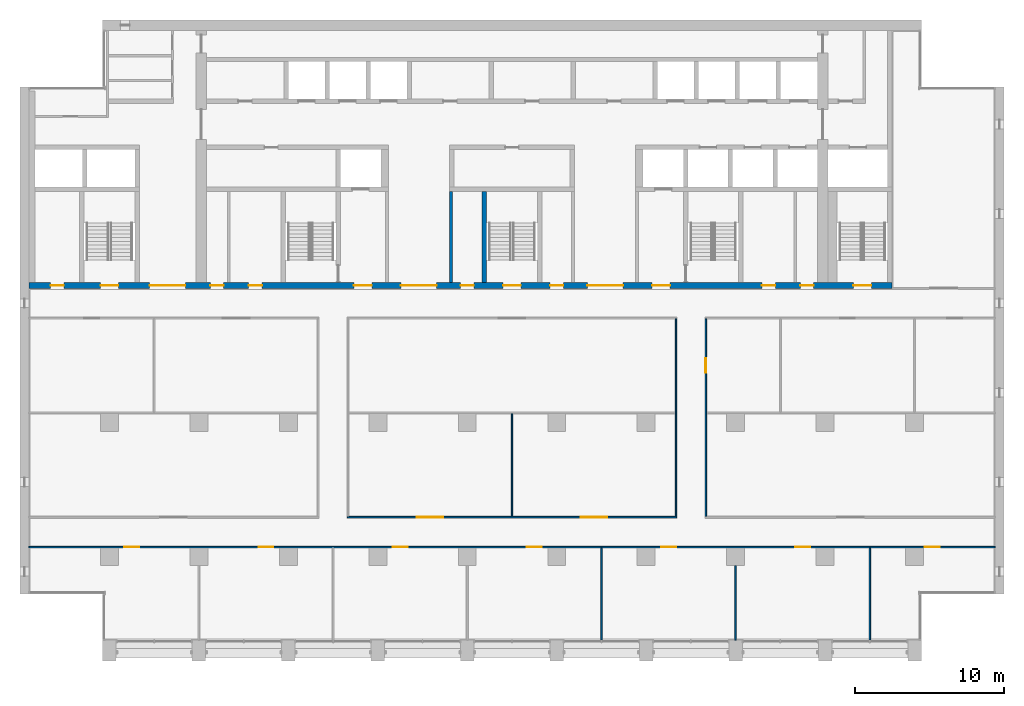
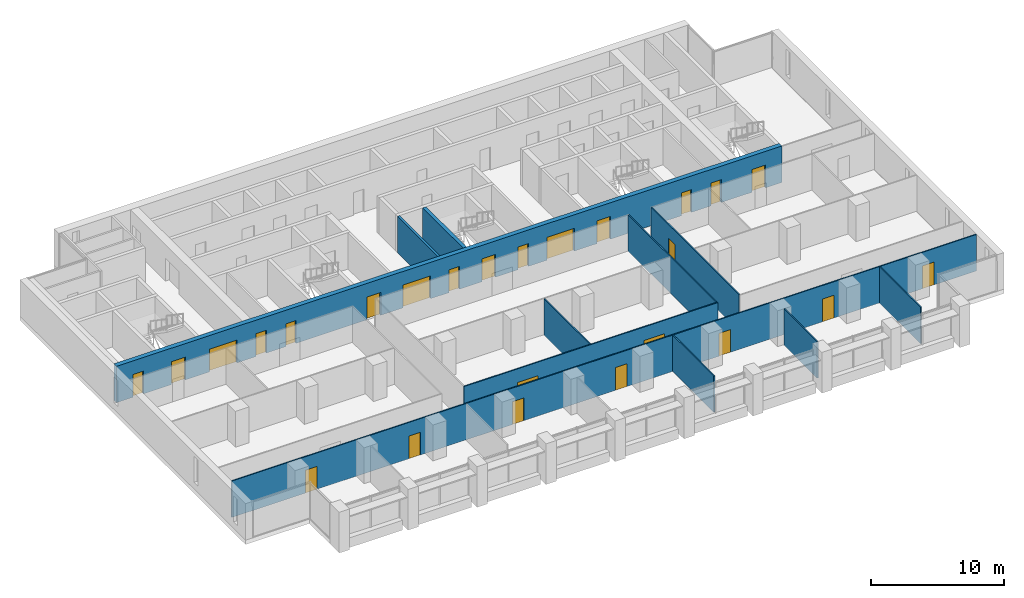
# One storey, part 9 of 17: 25 doors, 11 walls, 25 openings.
"""IFC4 building model written with IfcOpenShell, lengths in metres."""

from ifc_helpers import new_model, si_unit, direction, frame, frame_2d, origin, place, context, subcontext, project, spatial, rectangle, extrude, material, layer, layer_set, type_object, element, fill, save


model = new_model("IFC4")

# Units and contexts
model_context = context("Model", 3, precision=1e-05, world=origin(), true_north=direction((0.0, 1.0)))
body_context = subcontext(model_context, "Body", "Model", "MODEL_VIEW")
ifc_project = project(units=[si_unit("LENGTHUNIT", "METRE"), si_unit("AREAUNIT", "SQUARE_METRE"), si_unit("VOLUMEUNIT", "CUBIC_METRE"), si_unit("PLANEANGLEUNIT", "RADIAN"), si_unit("MASSUNIT", "GRAM", prefix="KILO")], contexts=[model_context])

# Site, building, storey
site_placement = place(None, origin())
site = spatial("IfcSite", under=ifc_project, at=site_placement, CompositionType="ELEMENT")
building_placement = place(site_placement, origin())
building = spatial("IfcBuilding", under=site, at=building_placement, Name="Calvaro Tower", CompositionType="ELEMENT")
storey_placement = place(building_placement, frame((0.0, 0.0, 170.5)))
storey = spatial("IfcBuildingStorey", under=building, at=storey_placement, Name="L42", CompositionType="ELEMENT", Elevation=170.5)

# Walls
ifc_material_1 = material(Name="Blockwork partition", Category="masonry")
ifc_layer_1 = layer(ifc_material_1, 0.199951171875)
ifc_layer_set_1 = layer_set([ifc_layer_1], Name="Blockwork partition")
wall_type_1 = type_object("IfcWallType", Name="Core partition 200 REI 120", PredefinedType="PARTITIONING", material=ifc_layer_set_1)
wall_1_placement = place(storey_placement, frame((34.89990234375, 28.39990234375, 0.0), z_axis=(0.0, 0.0, 1.0), x_axis=(0.0, 1.0, 0.0)))
element("IfcWall", 1, at=wall_1_placement, inside=storey, type_object=wall_type_1, Name="Core partition", PredefinedType="PARTITIONING", context=body_context, shape_type="SweptSolid", body=[
    extrude(rectangle(XDim=6.10009765625, YDim=0.199951171875, at=frame_2d((3.050048828125, 0.0))), origin(), (0.0, 0.0, 1.0), 3.35009765625),
])
ifc_material_2 = material(Name="Concrete C50/60", Category="concrete")
ifc_layer_2 = layer(ifc_material_2, 0.300048828125)
ifc_layer_set_2 = layer_set([ifc_layer_2], Name="Concrete C50/60")
wall_type_2 = type_object("IfcWallType", Name="Core wall C50/60 300", PredefinedType="SHEAR", material=ifc_layer_set_2)
wall_2_placement = place(storey_placement, frame((37.14990234375, 28.39990234375, 0.0), z_axis=(0.0, 0.0, 1.0), x_axis=(0.0, 1.0, 0.0)))
element("IfcWall", 2, at=wall_2_placement, inside=storey, type_object=wall_type_2, Name="Core wall, stair enclosure", PredefinedType="SHEAR", context=body_context, shape_type="SweptSolid", body=[
    extrude(rectangle(XDim=6.10009765625, YDim=0.300048828125, at=frame_2d((3.050048828125, 0.0))), origin(), (0.0, 0.0, 1.0), 3.35009765625),
])

# Wall, openings, doors
ifc_material_3 = material(Name="Concrete C50/60", Category="concrete")
ifc_layer_3 = layer(ifc_material_3, 0.39990234375)
ifc_layer_set_3 = layer_set([ifc_layer_3], Name="Concrete C50/60")
wall_type_3 = type_object("IfcWallType", Name="Core wall C50/60 400", PredefinedType="SHEAR", material=ifc_layer_set_3)
wall_3_placement = place(storey_placement, frame((6.60009765625, 28.199951171875, 0.0), z_axis=(0.0, 0.0, 1.0), x_axis=(1.0, 0.0, 0.0)))
wall_3 = element("IfcWall", 3, at=wall_3_placement, inside=storey, type_object=wall_type_3, Name="Core wall, front", PredefinedType="SHEAR", context=body_context, shape_type="SweptSolid", body=[
    extrude(rectangle(XDim=57.89990234375, YDim=0.39990234375, at=frame_2d((28.949951171875, 0.0))), origin(), (0.0, 0.0, 1.0), 3.35009765625),
])
opening_1_placement = place(wall_3_placement, frame((12.16259765625, 0.0, 0.0)))
opening_1 = element("IfcOpeningElement", 4, at=opening_1_placement, cuts=wall_3, Name="Opening RD9C", PredefinedType="OPENING", context=body_context, shape_type="SweptSolid", body=[
    extrude(rectangle(XDim=0.89990234375, YDim=2.10009765625, at=frame_2d((0.449951171875, 1.050048828125))), frame((0.0, 0.2099609375, 0.0), z_axis=(0.0, -1.0, 0.0), x_axis=(1.0, 0.0, 0.0)), (0.0, 0.0, 1.0), 0.419921875),
])
opening_2_placement = place(wall_3_placement, frame((14.737548828125, 0.0, 0.0)))
opening_2 = element("IfcOpeningElement", 5, at=opening_2_placement, cuts=wall_3, Name="Opening RD9E", PredefinedType="OPENING", context=body_context, shape_type="SweptSolid", body=[
    extrude(rectangle(XDim=0.89990234375, YDim=2.10009765625, at=frame_2d((0.449951171875, 1.050048828125))), frame((0.0, 0.2099609375, 0.0), z_axis=(0.0, -1.0, 0.0), x_axis=(1.0, 0.0, 0.0)), (0.0, 0.0, 1.0), 0.419921875),
])
opening_3_placement = place(wall_3_placement, frame((49.16259765625, 0.0, 0.0)))
opening_3 = element("IfcOpeningElement", 6, at=opening_3_placement, cuts=wall_3, Name="Opening RD9E", PredefinedType="OPENING", context=body_context, shape_type="SweptSolid", body=[
    extrude(rectangle(XDim=0.89990234375, YDim=2.10009765625, at=frame_2d((0.449951171875, 1.050048828125))), frame((0.0, 0.2099609375, 0.0), z_axis=(0.0, -1.0, 0.0), x_axis=(1.0, 0.0, 0.0)), (0.0, 0.0, 1.0), 0.419921875),
])
opening_4_placement = place(wall_3_placement, frame((51.737548828125, 0.0, 0.0)))
opening_4 = element("IfcOpeningElement", 7, at=opening_4_placement, cuts=wall_3, Name="Opening RD9C", PredefinedType="OPENING", context=body_context, shape_type="SweptSolid", body=[
    extrude(rectangle(XDim=0.89990234375, YDim=2.10009765625, at=frame_2d((0.449951171875, 1.050048828125))), frame((0.0, 0.2099609375, 0.0), z_axis=(0.0, -1.0, 0.0), x_axis=(1.0, 0.0, 0.0)), (0.0, 0.0, 1.0), 0.419921875),
])
opening_5_placement = place(wall_3_placement, frame((1.449951171875, 0.0, 0.0)))
opening_5 = element("IfcOpeningElement", 8, at=opening_5_placement, cuts=wall_3, Name="Opening RD9E", PredefinedType="OPENING", context=body_context, shape_type="SweptSolid", body=[
    extrude(rectangle(XDim=0.89990234375, YDim=2.10009765625, at=frame_2d((0.449951171875, 1.050048828125))), frame((0.0, 0.2099609375, 0.0), z_axis=(0.0, -1.0, 0.0), x_axis=(1.0, 0.0, 0.0)), (0.0, 0.0, 1.0), 0.419921875),
])
opening_6_placement = place(wall_3_placement, frame((4.800048828125, 0.0, 0.0)))
opening_6 = element("IfcOpeningElement", 9, at=opening_6_placement, cuts=wall_3, Name="Opening SD12D", PredefinedType="OPENING", context=body_context, shape_type="SweptSolid", body=[
    extrude(rectangle(XDim=1.199951171875, YDim=2.10009765625, at=frame_2d((0.60009765625, 1.050048828125))), frame((0.0, 0.2099609375, 0.0), z_axis=(0.0, -1.0, 0.0), x_axis=(1.0, 0.0, 0.0)), (0.0, 0.0, 1.0), 0.419921875),
])
opening_7_placement = place(wall_3_placement, frame((31.800048828125, 0.0, 0.0)))
opening_7 = element("IfcOpeningElement", 10, at=opening_7_placement, cuts=wall_3, Name="Opening SD12D", PredefinedType="OPENING", context=body_context, shape_type="SweptSolid", body=[
    extrude(rectangle(XDim=1.199951171875, YDim=2.10009765625, at=frame_2d((0.60009765625, 1.050048828125))), frame((0.0, 0.2099609375, 0.0), z_axis=(0.0, -1.0, 0.0), x_axis=(1.0, 0.0, 0.0)), (0.0, 0.0, 1.0), 0.419921875),
])
opening_8_placement = place(wall_3_placement, frame((55.300048828125, 0.0, 0.0)))
opening_8 = element("IfcOpeningElement", 11, at=opening_8_placement, cuts=wall_3, Name="Opening SD12D", PredefinedType="OPENING", context=body_context, shape_type="SweptSolid", body=[
    extrude(rectangle(XDim=1.199951171875, YDim=2.10009765625, at=frame_2d((0.60009765625, 1.050048828125))), frame((0.0, 0.2099609375, 0.0), z_axis=(0.0, -1.0, 0.0), x_axis=(1.0, 0.0, 0.0)), (0.0, 0.0, 1.0), 0.419921875),
])
opening_9_placement = place(wall_3_placement, frame((21.800048828125, 0.0, 0.0)))
opening_9 = element("IfcOpeningElement", 12, at=opening_9_placement, cuts=wall_3, Name="Opening FD12F", PredefinedType="OPENING", context=body_context, shape_type="SweptSolid", body=[
    extrude(rectangle(XDim=1.199951171875, YDim=2.10009765625, at=frame_2d((0.60009765625, 1.050048828125))), frame((0.0, 0.2099609375, 0.0), z_axis=(0.0, -1.0, 0.0), x_axis=(1.0, 0.0, 0.0)), (0.0, 0.0, 1.0), 0.419921875),
])
opening_10_placement = place(wall_3_placement, frame((41.800048828125, 0.0, 0.0)))
opening_10 = element("IfcOpeningElement", 13, at=opening_10_placement, cuts=wall_3, Name="Opening FD12F", PredefinedType="OPENING", context=body_context, shape_type="SweptSolid", body=[
    extrude(rectangle(XDim=1.199951171875, YDim=2.10009765625, at=frame_2d((0.60009765625, 1.050048828125))), frame((0.0, 0.2099609375, 0.0), z_axis=(0.0, -1.0, 0.0), x_axis=(1.0, 0.0, 0.0)), (0.0, 0.0, 1.0), 0.419921875),
])
opening_11_placement = place(wall_3_placement, frame((24.949951171875, 0.0, 0.0)))
opening_11 = element("IfcOpeningElement", 14, at=opening_11_placement, cuts=wall_3, Name="Opening DD24D", PredefinedType="OPENING", context=body_context, shape_type="SweptSolid", body=[
    extrude(rectangle(XDim=2.39990234375, YDim=2.10009765625, at=frame_2d((1.199951171875, 1.050048828125))), frame((0.0, 0.2099609375, 0.0), z_axis=(0.0, -1.0, 0.0), x_axis=(1.0, 0.0, 0.0)), (0.0, 0.0, 1.0), 0.419921875),
])
opening_12_placement = place(wall_3_placement, frame((37.449951171875, 0.0, 0.0)))
opening_12 = element("IfcOpeningElement", 15, at=opening_12_placement, cuts=wall_3, Name="Opening DD24D", PredefinedType="OPENING", context=body_context, shape_type="SweptSolid", body=[
    extrude(rectangle(XDim=2.39990234375, YDim=2.10009765625, at=frame_2d((1.199951171875, 1.050048828125))), frame((0.0, 0.2099609375, 0.0), z_axis=(0.0, -1.0, 0.0), x_axis=(1.0, 0.0, 0.0)), (0.0, 0.0, 1.0), 0.419921875),
])
opening_13_placement = place(wall_3_placement, frame((8.10009765625, 0.0, 0.0)))
opening_13 = element("IfcOpeningElement", 16, at=opening_13_placement, cuts=wall_3, Name="Opening DD24D", PredefinedType="OPENING", context=body_context, shape_type="SweptSolid", body=[
    extrude(rectangle(XDim=2.39990234375, YDim=2.10009765625, at=frame_2d((1.199951171875, 1.050048828125))), frame((0.0, 0.2099609375, 0.0), z_axis=(0.0, -1.0, 0.0), x_axis=(1.0, 0.0, 0.0)), (0.0, 0.0, 1.0), 0.419921875),
])
opening_14_placement = place(wall_3_placement, frame((28.949951171875, 0.0, 0.0)))
opening_14 = element("IfcOpeningElement", 17, at=opening_14_placement, cuts=wall_3, Name="Opening RD9E", PredefinedType="OPENING", context=body_context, shape_type="SweptSolid", body=[
    extrude(rectangle(XDim=0.89990234375, YDim=2.10009765625, at=frame_2d((0.449951171875, 1.050048828125))), frame((0.0, 0.2099609375, 0.0), z_axis=(0.0, -1.0, 0.0), x_axis=(1.0, 0.0, 0.0)), (0.0, 0.0, 1.0), 0.419921875),
])
opening_15_placement = place(wall_3_placement, frame((34.949951171875, 0.0, 0.0)))
opening_15 = element("IfcOpeningElement", 18, at=opening_15_placement, cuts=wall_3, Name="Opening RD9E", PredefinedType="OPENING", context=body_context, shape_type="SweptSolid", body=[
    extrude(rectangle(XDim=0.89990234375, YDim=2.10009765625, at=frame_2d((0.449951171875, 1.050048828125))), frame((0.0, 0.2099609375, 0.0), z_axis=(0.0, -1.0, 0.0), x_axis=(1.0, 0.0, 0.0)), (0.0, 0.0, 1.0), 0.419921875),
])
ifc_material_4 = material(Name="Steel door set", Category="steel")
door_type_1 = type_object("IfcDoorType", Name="Fire door 1200 FD60S", OperationType="SINGLE_SWING_LEFT", PredefinedType="DOOR", material=ifc_material_4)
door_1_placement = place(opening_9_placement, origin())
door_1 = element("IfcDoor", 19, at=door_1_placement, inside=storey, type_object=door_type_1, Name="Fire door", OperationType="SINGLE_SWING_LEFT", OverallHeight=2.10009765625, OverallWidth=1.199951171875, PredefinedType="DOOR", context=body_context, shape_type="SweptSolid", body=[
    extrude(rectangle(XDim=1.199951171875, YDim=2.10009765625, at=frame_2d((0.60009765625, 1.050048828125))), frame((0.0, 0.02490234375, 0.0), z_axis=(0.0, -1.0, 0.0), x_axis=(1.0, 0.0, 0.0)), (0.0, 0.0, 1.0), 0.050048828125),
])
fill(opening_9, door_1)
door_2_placement = place(opening_10_placement, origin())
door_2 = element("IfcDoor", 20, at=door_2_placement, inside=storey, type_object=door_type_1, Name="Fire door", OperationType="SINGLE_SWING_LEFT", OverallHeight=2.10009765625, OverallWidth=1.199951171875, PredefinedType="DOOR", context=body_context, shape_type="SweptSolid", body=[
    extrude(rectangle(XDim=1.199951171875, YDim=2.10009765625, at=frame_2d((0.60009765625, 1.050048828125))), frame((0.0, 0.02490234375, 0.0), z_axis=(0.0, -1.0, 0.0), x_axis=(1.0, 0.0, 0.0)), (0.0, 0.0, 1.0), 0.050048828125),
])
fill(opening_10, door_2)
ifc_material_5 = material(Name="Steel door set", Category="steel")
door_type_2 = type_object("IfcDoorType", Name="Lobby double door 2400 FD30S", OperationType="DOUBLE_DOOR_SINGLE_SWING", PredefinedType="DOOR", material=ifc_material_5)
door_3_placement = place(opening_11_placement, origin())
door_3 = element("IfcDoor", 21, at=door_3_placement, inside=storey, type_object=door_type_2, Name="Lobby double door", OperationType="DOUBLE_DOOR_SINGLE_SWING", OverallHeight=2.10009765625, OverallWidth=2.39990234375, PredefinedType="DOOR", context=body_context, shape_type="SweptSolid", body=[
    extrude(rectangle(XDim=2.39990234375, YDim=2.10009765625, at=frame_2d((1.199951171875, 1.050048828125))), frame((0.0, 0.02490234375, 0.0), z_axis=(0.0, -1.0, 0.0), x_axis=(1.0, 0.0, 0.0)), (0.0, 0.0, 1.0), 0.050048828125),
])
fill(opening_11, door_3)
door_4_placement = place(opening_12_placement, origin())
door_4 = element("IfcDoor", 22, at=door_4_placement, inside=storey, type_object=door_type_2, Name="Lobby double door", OperationType="DOUBLE_DOOR_SINGLE_SWING", OverallHeight=2.10009765625, OverallWidth=2.39990234375, PredefinedType="DOOR", context=body_context, shape_type="SweptSolid", body=[
    extrude(rectangle(XDim=2.39990234375, YDim=2.10009765625, at=frame_2d((1.199951171875, 1.050048828125))), frame((0.0, 0.02490234375, 0.0), z_axis=(0.0, -1.0, 0.0), x_axis=(1.0, 0.0, 0.0)), (0.0, 0.0, 1.0), 0.050048828125),
])
fill(opening_12, door_4)
door_5_placement = place(opening_13_placement, origin())
door_5 = element("IfcDoor", 23, at=door_5_placement, inside=storey, type_object=door_type_2, Name="Lobby double door", OperationType="DOUBLE_DOOR_SINGLE_SWING", OverallHeight=2.10009765625, OverallWidth=2.39990234375, PredefinedType="DOOR", context=body_context, shape_type="SweptSolid", body=[
    extrude(rectangle(XDim=2.39990234375, YDim=2.10009765625, at=frame_2d((1.199951171875, 1.050048828125))), frame((0.0, 0.02490234375, 0.0), z_axis=(0.0, -1.0, 0.0), x_axis=(1.0, 0.0, 0.0)), (0.0, 0.0, 1.0), 0.050048828125),
])
fill(opening_13, door_5)
ifc_material_6 = material(Name="Steel door set", Category="steel")
door_type_3 = type_object("IfcDoorType", Name="Room door 900 FD30", OperationType="SINGLE_SWING_LEFT", PredefinedType="DOOR", material=ifc_material_6)
door_6_placement = place(opening_1_placement, origin())
door_6 = element("IfcDoor", 24, at=door_6_placement, inside=storey, type_object=door_type_3, Name="Room door", OperationType="SINGLE_SWING_LEFT", OverallHeight=2.10009765625, OverallWidth=0.89990234375, PredefinedType="DOOR", context=body_context, shape_type="SweptSolid", body=[
    extrude(rectangle(XDim=0.89990234375, YDim=2.10009765625, at=frame_2d((0.449951171875, 1.050048828125))), frame((0.0, 0.02490234375, 0.0), z_axis=(0.0, -1.0, 0.0), x_axis=(1.0, 0.0, 0.0)), (0.0, 0.0, 1.0), 0.050048828125),
])
fill(opening_1, door_6)
door_7_placement = place(opening_4_placement, origin())
door_7 = element("IfcDoor", 25, at=door_7_placement, inside=storey, type_object=door_type_3, Name="Room door", OperationType="SINGLE_SWING_LEFT", OverallHeight=2.10009765625, OverallWidth=0.89990234375, PredefinedType="DOOR", context=body_context, shape_type="SweptSolid", body=[
    extrude(rectangle(XDim=0.89990234375, YDim=2.10009765625, at=frame_2d((0.449951171875, 1.050048828125))), frame((0.0, 0.02490234375, 0.0), z_axis=(0.0, -1.0, 0.0), x_axis=(1.0, 0.0, 0.0)), (0.0, 0.0, 1.0), 0.050048828125),
])
fill(opening_4, door_7)
ifc_material_7 = material(Name="Steel door set", Category="steel")
door_type_4 = type_object("IfcDoorType", Name="Room door 900 FD60", OperationType="SINGLE_SWING_LEFT", PredefinedType="DOOR", material=ifc_material_7)
door_8_placement = place(opening_2_placement, origin())
door_8 = element("IfcDoor", 26, at=door_8_placement, inside=storey, type_object=door_type_4, Name="Room door", OperationType="SINGLE_SWING_RIGHT", OverallHeight=2.10009765625, OverallWidth=0.89990234375, PredefinedType="DOOR", context=body_context, shape_type="SweptSolid", body=[
    extrude(rectangle(XDim=0.89990234375, YDim=2.10009765625, at=frame_2d((0.449951171875, 1.050048828125))), frame((0.0, 0.02490234375, 0.0), z_axis=(0.0, -1.0, 0.0), x_axis=(1.0, 0.0, 0.0)), (0.0, 0.0, 1.0), 0.050048828125),
])
fill(opening_2, door_8)
door_9_placement = place(opening_3_placement, origin())
door_9 = element("IfcDoor", 27, at=door_9_placement, inside=storey, type_object=door_type_4, Name="Room door", OperationType="SINGLE_SWING_LEFT", OverallHeight=2.10009765625, OverallWidth=0.89990234375, PredefinedType="DOOR", context=body_context, shape_type="SweptSolid", body=[
    extrude(rectangle(XDim=0.89990234375, YDim=2.10009765625, at=frame_2d((0.449951171875, 1.050048828125))), frame((0.0, 0.02490234375, 0.0), z_axis=(0.0, -1.0, 0.0), x_axis=(1.0, 0.0, 0.0)), (0.0, 0.0, 1.0), 0.050048828125),
])
fill(opening_3, door_9)
door_10_placement = place(opening_5_placement, origin())
door_10 = element("IfcDoor", 28, at=door_10_placement, inside=storey, type_object=door_type_4, Name="Room door", OperationType="SINGLE_SWING_LEFT", OverallHeight=2.10009765625, OverallWidth=0.89990234375, PredefinedType="DOOR", context=body_context, shape_type="SweptSolid", body=[
    extrude(rectangle(XDim=0.89990234375, YDim=2.10009765625, at=frame_2d((0.449951171875, 1.050048828125))), frame((0.0, 0.02490234375, 0.0), z_axis=(0.0, -1.0, 0.0), x_axis=(1.0, 0.0, 0.0)), (0.0, 0.0, 1.0), 0.050048828125),
])
fill(opening_5, door_10)
door_11_placement = place(opening_14_placement, origin())
door_11 = element("IfcDoor", 29, at=door_11_placement, inside=storey, type_object=door_type_4, Name="Room door", OperationType="SINGLE_SWING_LEFT", OverallHeight=2.10009765625, OverallWidth=0.89990234375, PredefinedType="DOOR", context=body_context, shape_type="SweptSolid", body=[
    extrude(rectangle(XDim=0.89990234375, YDim=2.10009765625, at=frame_2d((0.449951171875, 1.050048828125))), frame((0.0, 0.02490234375, 0.0), z_axis=(0.0, -1.0, 0.0), x_axis=(1.0, 0.0, 0.0)), (0.0, 0.0, 1.0), 0.050048828125),
])
fill(opening_14, door_11)
door_12_placement = place(opening_15_placement, origin())
door_12 = element("IfcDoor", 30, at=door_12_placement, inside=storey, type_object=door_type_4, Name="Room door", OperationType="SINGLE_SWING_LEFT", OverallHeight=2.10009765625, OverallWidth=0.89990234375, PredefinedType="DOOR", context=body_context, shape_type="SweptSolid", body=[
    extrude(rectangle(XDim=0.89990234375, YDim=2.10009765625, at=frame_2d((0.449951171875, 1.050048828125))), frame((0.0, 0.02490234375, 0.0), z_axis=(0.0, -1.0, 0.0), x_axis=(1.0, 0.0, 0.0)), (0.0, 0.0, 1.0), 0.050048828125),
])
fill(opening_15, door_12)
ifc_material_8 = material(Name="Steel door set", Category="steel")
door_type_5 = type_object("IfcDoorType", Name="Stair door 1200 FD30S", OperationType="SINGLE_SWING_LEFT", PredefinedType="DOOR", material=ifc_material_8)
door_13_placement = place(opening_6_placement, origin())
door_13 = element("IfcDoor", 31, at=door_13_placement, inside=storey, type_object=door_type_5, Name="Stair door", OperationType="SINGLE_SWING_LEFT", OverallHeight=2.10009765625, OverallWidth=1.199951171875, PredefinedType="DOOR", context=body_context, shape_type="SweptSolid", body=[
    extrude(rectangle(XDim=1.199951171875, YDim=2.10009765625, at=frame_2d((0.60009765625, 1.050048828125))), frame((0.0, 0.02490234375, 0.0), z_axis=(0.0, -1.0, 0.0), x_axis=(1.0, 0.0, 0.0)), (0.0, 0.0, 1.0), 0.050048828125),
])
fill(opening_6, door_13)
door_14_placement = place(opening_7_placement, origin())
door_14 = element("IfcDoor", 32, at=door_14_placement, inside=storey, type_object=door_type_5, Name="Stair door", OperationType="SINGLE_SWING_LEFT", OverallHeight=2.10009765625, OverallWidth=1.199951171875, PredefinedType="DOOR", context=body_context, shape_type="SweptSolid", body=[
    extrude(rectangle(XDim=1.199951171875, YDim=2.10009765625, at=frame_2d((0.60009765625, 1.050048828125))), frame((0.0, 0.02490234375, 0.0), z_axis=(0.0, -1.0, 0.0), x_axis=(1.0, 0.0, 0.0)), (0.0, 0.0, 1.0), 0.050048828125),
])
fill(opening_7, door_14)
door_15_placement = place(opening_8_placement, origin())
door_15 = element("IfcDoor", 33, at=door_15_placement, inside=storey, type_object=door_type_5, Name="Stair door", OperationType="SINGLE_SWING_LEFT", OverallHeight=2.10009765625, OverallWidth=1.199951171875, PredefinedType="DOOR", context=body_context, shape_type="SweptSolid", body=[
    extrude(rectangle(XDim=1.199951171875, YDim=2.10009765625, at=frame_2d((0.60009765625, 1.050048828125))), frame((0.0, 0.02490234375, 0.0), z_axis=(0.0, -1.0, 0.0), x_axis=(1.0, 0.0, 0.0)), (0.0, 0.0, 1.0), 0.050048828125),
])
fill(opening_8, door_15)

ifc_material_9 = material(Name="Plasterboard on steel studs", Category="steel")
ifc_layer_4 = layer(ifc_material_9, 0.10009765625)
ifc_layer_set_4 = layer_set([ifc_layer_4], Name="Plasterboard on steel studs")
wall_type_4 = type_object("IfcWallType", Name="Partition 100", PredefinedType="PARTITIONING", material=ifc_layer_set_4)
wall_4_placement = place(storey_placement, frame((6.60009765625, 10.64990234375, 0.0), z_axis=(0.0, 0.0, 1.0), x_axis=(1.0, 0.0, 0.0)))
wall_4 = element("IfcWall", 34, at=wall_4_placement, inside=storey, type_object=wall_type_4, Name="Partition T25.W001", PredefinedType="PARTITIONING", context=body_context, shape_type="SweptSolid", body=[
    extrude(rectangle(XDim=64.7998046875, YDim=0.10009765625, at=frame_2d((32.39990234375, 0.0))), origin(), (0.0, 0.0, 1.0), 3.35009765625),
])
opening_16_placement = place(wall_4_placement, frame((15.39990234375, 0.0, 0.0)))
opening_16 = element("IfcOpeningElement", 35, at=opening_16_placement, cuts=wall_4, Name="Opening T25.001", PredefinedType="OPENING", context=body_context, shape_type="SweptSolid", body=[
    extrude(rectangle(XDim=1.0, YDim=2.10009765625, at=frame_2d((0.5, 1.050048828125))), frame((0.0, 0.06005859375, 0.0), z_axis=(0.0, -1.0, 0.0), x_axis=(1.0, 0.0, 0.0)), (0.0, 0.0, 1.0), 0.1201171875),
])
opening_17_placement = place(wall_4_placement, frame((24.39990234375, 0.0, 0.0)))
opening_17 = element("IfcOpeningElement", 36, at=opening_17_placement, cuts=wall_4, Name="Opening T25.002", PredefinedType="OPENING", context=body_context, shape_type="SweptSolid", body=[
    extrude(rectangle(XDim=1.0, YDim=2.10009765625, at=frame_2d((0.5, 1.050048828125))), frame((0.0, 0.06005859375, 0.0), z_axis=(0.0, -1.0, 0.0), x_axis=(1.0, 0.0, 0.0)), (0.0, 0.0, 1.0), 0.1201171875),
])
opening_18_placement = place(wall_4_placement, frame((33.39990234375, 0.0, 0.0)))
opening_18 = element("IfcOpeningElement", 37, at=opening_18_placement, cuts=wall_4, Name="Opening T25.003", PredefinedType="OPENING", context=body_context, shape_type="SweptSolid", body=[
    extrude(rectangle(XDim=1.0, YDim=2.10009765625, at=frame_2d((0.5, 1.050048828125))), frame((0.0, 0.06005859375, 0.0), z_axis=(0.0, -1.0, 0.0), x_axis=(1.0, 0.0, 0.0)), (0.0, 0.0, 1.0), 0.1201171875),
])
opening_19_placement = place(wall_4_placement, frame((42.39990234375, 0.0, 0.0)))
opening_19 = element("IfcOpeningElement", 38, at=opening_19_placement, cuts=wall_4, Name="Opening T25.004", PredefinedType="OPENING", context=body_context, shape_type="SweptSolid", body=[
    extrude(rectangle(XDim=1.0, YDim=2.10009765625, at=frame_2d((0.5, 1.050048828125))), frame((0.0, 0.06005859375, 0.0), z_axis=(0.0, -1.0, 0.0), x_axis=(1.0, 0.0, 0.0)), (0.0, 0.0, 1.0), 0.1201171875),
])
opening_20_placement = place(wall_4_placement, frame((51.39990234375, 0.0, 0.0)))
opening_20 = element("IfcOpeningElement", 39, at=opening_20_placement, cuts=wall_4, Name="Opening T25.005", PredefinedType="OPENING", context=body_context, shape_type="SweptSolid", body=[
    extrude(rectangle(XDim=1.0, YDim=2.10009765625, at=frame_2d((0.5, 1.050048828125))), frame((0.0, 0.06005859375, 0.0), z_axis=(0.0, -1.0, 0.0), x_axis=(1.0, 0.0, 0.0)), (0.0, 0.0, 1.0), 0.1201171875),
])
opening_21_placement = place(wall_4_placement, frame((6.39990234375, 0.0, 0.0)))
opening_21 = element("IfcOpeningElement", 40, at=opening_21_placement, cuts=wall_4, Name="Opening T25.006", PredefinedType="OPENING", context=body_context, shape_type="SweptSolid", body=[
    extrude(rectangle(XDim=1.0, YDim=2.10009765625, at=frame_2d((0.5, 1.050048828125))), frame((0.0, 0.06005859375, 0.0), z_axis=(0.0, -1.0, 0.0), x_axis=(1.0, 0.0, 0.0)), (0.0, 0.0, 1.0), 0.1201171875),
])
opening_22_placement = place(wall_4_placement, frame((60.10009765625, 0.0, 0.0)))
opening_22 = element("IfcOpeningElement", 41, at=opening_22_placement, cuts=wall_4, Name="Opening T25.007", PredefinedType="OPENING", context=body_context, shape_type="SweptSolid", body=[
    extrude(rectangle(XDim=1.0, YDim=2.10009765625, at=frame_2d((0.5, 1.050048828125))), frame((0.0, 0.06005859375, 0.0), z_axis=(0.0, -1.0, 0.0), x_axis=(1.0, 0.0, 0.0)), (0.0, 0.0, 1.0), 0.1201171875),
])
ifc_material_10 = material(Name="Timber", Category="wood")
door_type_6 = type_object("IfcDoorType", Name="Internal single door 1000 x 2100", OperationType="SINGLE_SWING_LEFT", PredefinedType="DOOR", material=ifc_material_10)
door_16_placement = place(opening_16_placement, origin())
door_16 = element("IfcDoor", 42, at=door_16_placement, inside=storey, type_object=door_type_6, Name="Door T25.001", OperationType="SINGLE_SWING_LEFT", OverallHeight=2.10009765625, OverallWidth=1.0, PredefinedType="DOOR", context=body_context, shape_type="SweptSolid", body=[
    extrude(rectangle(XDim=1.0, YDim=2.10009765625, at=frame_2d((0.5, 1.050048828125))), frame((0.0, 0.02490234375, 0.0), z_axis=(0.0, -1.0, 0.0), x_axis=(1.0, 0.0, 0.0)), (0.0, 0.0, 1.0), 0.050048828125),
])
fill(opening_16, door_16)
door_17_placement = place(opening_17_placement, origin())
door_17 = element("IfcDoor", 43, at=door_17_placement, inside=storey, type_object=door_type_6, Name="Door T25.002", OperationType="SINGLE_SWING_LEFT", OverallHeight=2.10009765625, OverallWidth=1.0, PredefinedType="DOOR", context=body_context, shape_type="SweptSolid", body=[
    extrude(rectangle(XDim=1.0, YDim=2.10009765625, at=frame_2d((0.5, 1.050048828125))), frame((0.0, 0.02490234375, 0.0), z_axis=(0.0, -1.0, 0.0), x_axis=(1.0, 0.0, 0.0)), (0.0, 0.0, 1.0), 0.050048828125),
])
fill(opening_17, door_17)
door_18_placement = place(opening_18_placement, origin())
door_18 = element("IfcDoor", 44, at=door_18_placement, inside=storey, type_object=door_type_6, Name="Door T25.003", OperationType="SINGLE_SWING_RIGHT", OverallHeight=2.10009765625, OverallWidth=1.0, PredefinedType="DOOR", context=body_context, shape_type="SweptSolid", body=[
    extrude(rectangle(XDim=1.0, YDim=2.10009765625, at=frame_2d((0.5, 1.050048828125))), frame((0.0, 0.02490234375, 0.0), z_axis=(0.0, -1.0, 0.0), x_axis=(1.0, 0.0, 0.0)), (0.0, 0.0, 1.0), 0.050048828125),
])
fill(opening_18, door_18)
door_19_placement = place(opening_19_placement, origin())
door_19 = element("IfcDoor", 45, at=door_19_placement, inside=storey, type_object=door_type_6, Name="Door T25.004", OperationType="SINGLE_SWING_RIGHT", OverallHeight=2.10009765625, OverallWidth=1.0, PredefinedType="DOOR", context=body_context, shape_type="SweptSolid", body=[
    extrude(rectangle(XDim=1.0, YDim=2.10009765625, at=frame_2d((0.5, 1.050048828125))), frame((0.0, 0.02490234375, 0.0), z_axis=(0.0, -1.0, 0.0), x_axis=(1.0, 0.0, 0.0)), (0.0, 0.0, 1.0), 0.050048828125),
])
fill(opening_19, door_19)
door_20_placement = place(opening_20_placement, origin())
door_20 = element("IfcDoor", 46, at=door_20_placement, inside=storey, type_object=door_type_6, Name="Door T25.005", OperationType="SINGLE_SWING_RIGHT", OverallHeight=2.10009765625, OverallWidth=1.0, PredefinedType="DOOR", context=body_context, shape_type="SweptSolid", body=[
    extrude(rectangle(XDim=1.0, YDim=2.10009765625, at=frame_2d((0.5, 1.050048828125))), frame((0.0, 0.02490234375, 0.0), z_axis=(0.0, -1.0, 0.0), x_axis=(1.0, 0.0, 0.0)), (0.0, 0.0, 1.0), 0.050048828125),
])
fill(opening_20, door_20)
door_21_placement = place(opening_21_placement, origin())
door_21 = element("IfcDoor", 47, at=door_21_placement, inside=storey, type_object=door_type_6, Name="Door T25.006", OperationType="SINGLE_SWING_LEFT", OverallHeight=2.10009765625, OverallWidth=1.0, PredefinedType="DOOR", context=body_context, shape_type="SweptSolid", body=[
    extrude(rectangle(XDim=1.0, YDim=2.10009765625, at=frame_2d((0.5, 1.050048828125))), frame((0.0, 0.02490234375, 0.0), z_axis=(0.0, -1.0, 0.0), x_axis=(1.0, 0.0, 0.0)), (0.0, 0.0, 1.0), 0.050048828125),
])
fill(opening_21, door_21)
door_22_placement = place(opening_22_placement, origin())
door_22 = element("IfcDoor", 48, at=door_22_placement, inside=storey, type_object=door_type_6, Name="Door T25.007", OperationType="SINGLE_SWING_RIGHT", OverallHeight=2.10009765625, OverallWidth=1.0, PredefinedType="DOOR", context=body_context, shape_type="SweptSolid", body=[
    extrude(rectangle(XDim=1.0, YDim=2.10009765625, at=frame_2d((0.5, 1.050048828125))), frame((0.0, 0.02490234375, 0.0), z_axis=(0.0, -1.0, 0.0), x_axis=(1.0, 0.0, 0.0)), (0.0, 0.0, 1.0), 0.050048828125),
])
fill(opening_22, door_22)

wall_5_placement = place(storey_placement, frame((27.949951171875, 12.64990234375, 0.0), z_axis=(0.0, 0.0, 1.0), x_axis=(1.0, 0.0, 0.0)))
wall_5 = element("IfcWall", 49, at=wall_5_placement, inside=storey, type_object=wall_type_4, Name="Partition T25.W003", PredefinedType="PARTITIONING", context=body_context, shape_type="SweptSolid", body=[
    extrude(rectangle(XDim=22.10009765625, YDim=0.10009765625, at=frame_2d((11.050048828125, 0.0))), origin(), (0.0, 0.0, 1.0), 3.35009765625),
])
opening_23_placement = place(wall_5_placement, frame((4.64990234375, 0.0, 0.0)))
opening_23 = element("IfcOpeningElement", 50, at=opening_23_placement, cuts=wall_5, Name="Opening T25.009", PredefinedType="OPENING", context=body_context, shape_type="SweptSolid", body=[
    extrude(rectangle(XDim=1.800048828125, YDim=2.10009765625, at=frame_2d((0.89990234375, 1.050048828125))), frame((0.0, 0.06005859375, 0.0), z_axis=(0.0, -1.0, 0.0), x_axis=(1.0, 0.0, 0.0)), (0.0, 0.0, 1.0), 0.1201171875),
])
opening_24_placement = place(wall_5_placement, frame((15.64990234375, 0.0, 0.0)))
opening_24 = element("IfcOpeningElement", 51, at=opening_24_placement, cuts=wall_5, Name="Opening T25.010", PredefinedType="OPENING", context=body_context, shape_type="SweptSolid", body=[
    extrude(rectangle(XDim=1.800048828125, YDim=2.10009765625, at=frame_2d((0.89990234375, 1.050048828125))), frame((0.0, 0.06005859375, 0.0), z_axis=(0.0, -1.0, 0.0), x_axis=(1.0, 0.0, 0.0)), (0.0, 0.0, 1.0), 0.1201171875),
])
ifc_material_11 = material(Name="Timber", Category="wood")
door_type_7 = type_object("IfcDoorType", Name="Internal double door 1800 x 2100", OperationType="DOUBLE_DOOR_SINGLE_SWING", PredefinedType="DOOR", material=ifc_material_11)
door_23_placement = place(opening_23_placement, origin())
door_23 = element("IfcDoor", 52, at=door_23_placement, inside=storey, type_object=door_type_7, Name="Door T25.009", OperationType="DOUBLE_DOOR_SINGLE_SWING", OverallHeight=2.10009765625, OverallWidth=1.800048828125, PredefinedType="DOOR", context=body_context, shape_type="SweptSolid", body=[
    extrude(rectangle(XDim=1.800048828125, YDim=2.10009765625, at=frame_2d((0.89990234375, 1.050048828125))), frame((0.0, 0.02490234375, 0.0), z_axis=(0.0, -1.0, 0.0), x_axis=(1.0, 0.0, 0.0)), (0.0, 0.0, 1.0), 0.050048828125),
])
fill(opening_23, door_23)
door_24_placement = place(opening_24_placement, origin())
door_24 = element("IfcDoor", 53, at=door_24_placement, inside=storey, type_object=door_type_7, Name="Door T25.010", OperationType="DOUBLE_DOOR_SINGLE_SWING", OverallHeight=2.10009765625, OverallWidth=1.800048828125, PredefinedType="DOOR", context=body_context, shape_type="SweptSolid", body=[
    extrude(rectangle(XDim=1.800048828125, YDim=2.10009765625, at=frame_2d((0.89990234375, 1.050048828125))), frame((0.0, 0.02490234375, 0.0), z_axis=(0.0, -1.0, 0.0), x_axis=(1.0, 0.0, 0.0)), (0.0, 0.0, 1.0), 0.050048828125),
])
fill(opening_24, door_24)

# Walls
wall_6_placement = place(storey_placement, frame((39.0, 12.699951171875, 0.0), z_axis=(0.0, 0.0, 1.0), x_axis=(0.0, 1.0, 0.0)))
element("IfcWall", 54, at=wall_6_placement, inside=storey, type_object=wall_type_4, Name="Partition T25.W018", PredefinedType="PARTITIONING", context=body_context, shape_type="SweptSolid", body=[
    extrude(rectangle(XDim=6.900146484375, YDim=0.10009765625, at=frame_2d((3.4501953125, 0.0))), origin(), (0.0, 0.0, 1.0), 3.35009765625),
])
wall_7_placement = place(storey_placement, frame((45.0, 4.39990234375, 0.0), z_axis=(0.0, 0.0, 1.0), x_axis=(0.0, 1.0, 0.0)))
element("IfcWall", 55, at=wall_7_placement, inside=storey, type_object=wall_type_4, Name="Partition T25.W019", PredefinedType="PARTITIONING", context=body_context, shape_type="SweptSolid", body=[
    extrude(rectangle(XDim=6.2001953125, YDim=0.10009765625, at=frame_2d((3.10009765625, 0.0))), origin(), (0.0, 0.0, 1.0), 3.35009765625),
])
wall_8_placement = place(storey_placement, frame((50.0, 12.699951171875, 0.0), z_axis=(0.0, 0.0, 1.0), x_axis=(0.0, 1.0, 0.0)))
element("IfcWall", 56, at=wall_8_placement, inside=storey, type_object=wall_type_4, Name="Partition T25.W020", PredefinedType="PARTITIONING", context=body_context, shape_type="SweptSolid", body=[
    extrude(rectangle(XDim=13.25, YDim=0.10009765625, at=frame_2d((6.625, 0.0))), origin(), (0.0, 0.0, 1.0), 3.35009765625),
])

# Wall, opening, door
wall_9_placement = place(storey_placement, frame((52.0, 12.699951171875, 0.0), z_axis=(0.0, 0.0, 1.0), x_axis=(0.0, 1.0, 0.0)))
wall_9 = element("IfcWall", 57, at=wall_9_placement, inside=storey, type_object=wall_type_4, Name="Partition T25.W021", PredefinedType="PARTITIONING", context=body_context, shape_type="SweptSolid", body=[
    extrude(rectangle(XDim=13.25, YDim=0.10009765625, at=frame_2d((6.625, 0.0))), origin(), (0.0, 0.0, 1.0), 3.35009765625),
])
opening_25_placement = place(wall_9_placement, frame((9.625, 0.0, 0.0)))
opening_25 = element("IfcOpeningElement", 58, at=opening_25_placement, cuts=wall_9, Name="Opening T25.015", PredefinedType="OPENING", context=body_context, shape_type="SweptSolid", body=[
    extrude(rectangle(XDim=1.0, YDim=2.10009765625, at=frame_2d((0.5, 1.050048828125))), frame((0.0, 0.06005859375, 0.0), z_axis=(0.0, -1.0, 0.0), x_axis=(1.0, 0.0, 0.0)), (0.0, 0.0, 1.0), 0.1201171875),
])
door_25_placement = place(opening_25_placement, origin())
door_25 = element("IfcDoor", 59, at=door_25_placement, inside=storey, type_object=door_type_6, Name="Door T25.015", OperationType="SINGLE_SWING_RIGHT", OverallHeight=2.10009765625, OverallWidth=1.0, PredefinedType="DOOR", context=body_context, shape_type="SweptSolid", body=[
    extrude(rectangle(XDim=1.0, YDim=2.10009765625, at=frame_2d((0.5, 1.050048828125))), frame((0.0, 0.02490234375, 0.0), z_axis=(0.0, -1.0, 0.0), x_axis=(1.0, 0.0, 0.0)), (0.0, 0.0, 1.0), 0.050048828125),
])
fill(opening_25, door_25)

# Walls
wall_10_placement = place(storey_placement, frame((54.0, 4.39990234375, 0.0), z_axis=(0.0, 0.0, 1.0), x_axis=(0.0, 1.0, 0.0)))
element("IfcWall", 60, at=wall_10_placement, inside=storey, type_object=wall_type_4, Name="Partition T25.W022", PredefinedType="PARTITIONING", context=body_context, shape_type="SweptSolid", body=[
    extrude(rectangle(XDim=5.0, YDim=0.10009765625, at=frame_2d((2.5, 0.0))), origin(), (0.0, 0.0, 1.0), 3.35009765625),
])
wall_11_placement = place(storey_placement, frame((63.0, 4.39990234375, 0.0), z_axis=(0.0, 0.0, 1.0), x_axis=(0.0, 1.0, 0.0)))
element("IfcWall", 61, at=wall_11_placement, inside=storey, type_object=wall_type_4, Name="Partition T25.W024", PredefinedType="PARTITIONING", context=body_context, shape_type="SweptSolid", body=[
    extrude(rectangle(XDim=6.2001953125, YDim=0.10009765625, at=frame_2d((3.10009765625, 0.0))), origin(), (0.0, 0.0, 1.0), 3.35009765625),
])

save(model, "model.ifc")
